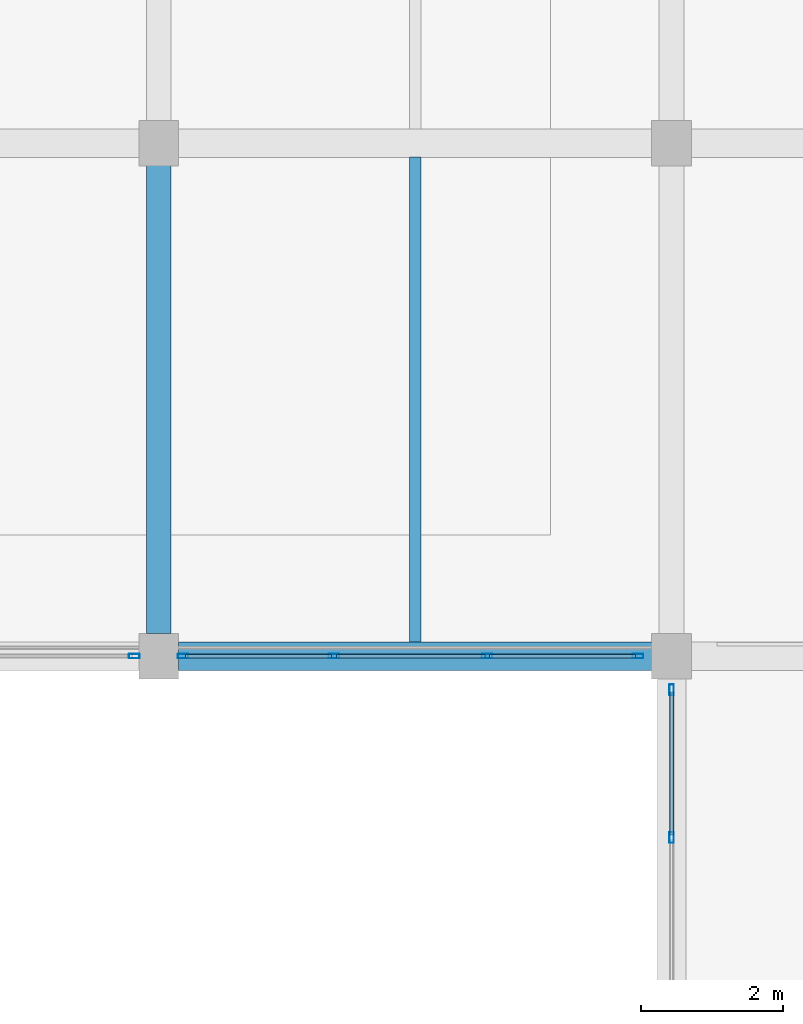
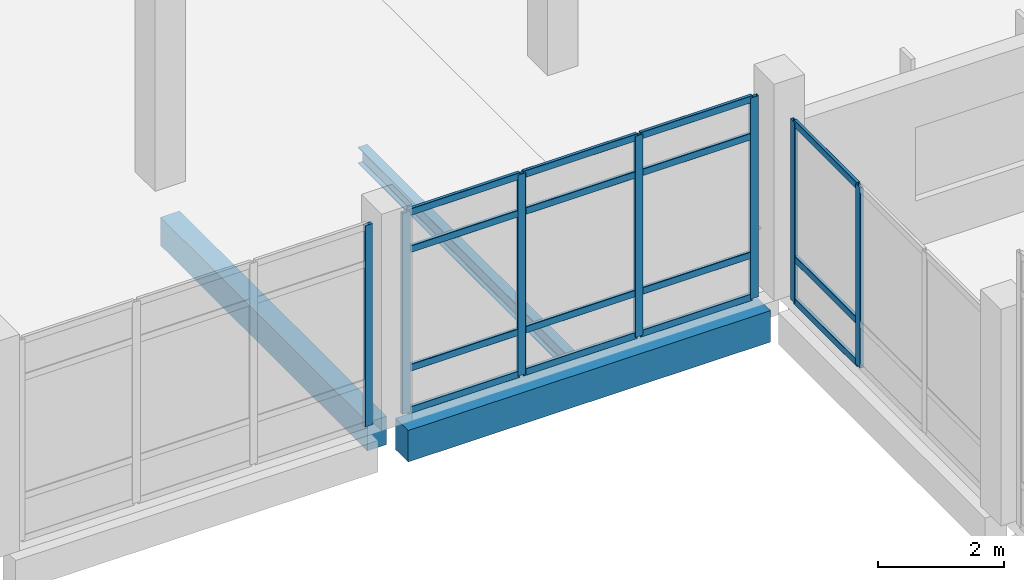
# One storey, part 100 of 158: 22 members, 3 beams, 3 elements without a shape of their own.
"""IFC4 building model written with IfcOpenShell, lengths in metres."""

from ifc_helpers import new_model, si_unit, direction, frame, origin, origin_2d, place, context, subcontext, project, spatial, rectangle, hollow_rectangle, i_section, extrude, material, material_profile, profile_set, type_object, element, aggregate, save


model = new_model("IFC4")

# Units and contexts
model_context = context("Model", 3, precision=1e-05, world=origin(), true_north=direction((0.0, 1.0)))
body_context = subcontext(model_context, "Body", "Model", "MODEL_VIEW")
ifc_project = project(units=[si_unit("LENGTHUNIT", "METRE"), si_unit("AREAUNIT", "SQUARE_METRE"), si_unit("VOLUMEUNIT", "CUBIC_METRE"), si_unit("PLANEANGLEUNIT", "RADIAN"), si_unit("MASSUNIT", "GRAM", prefix="KILO")], contexts=[model_context])

# Site, building, storey
site_placement = place(None, origin())
site = spatial("IfcSite", under=ifc_project, at=site_placement, CompositionType="ELEMENT")
building_placement = place(site_placement, origin())
building = spatial("IfcBuilding", under=site, at=building_placement, Name="Lusvemor Sports Hall", CompositionType="ELEMENT")
storey_placement = place(building_placement, frame((0.0, 0.0, 10.800048828125)))
storey = spatial("IfcBuildingStorey", under=building, at=storey_placement, Name="L02", CompositionType="ELEMENT", Elevation=10.800048828125)

# Beam
ifc_material_1 = material(Name="Concrete C40/50", Category="concrete")
ifc_material_profile_1 = material_profile(ifc_material_1, rectangle(XDim=0.35009765625, YDim=0.550048828125, at=origin_2d()), Name="RC350x550")
ifc_profile_set_1 = profile_set([ifc_material_profile_1], Name="Concrete C40/50")
beam_type_1 = type_object("IfcBeamType", Name="BEAM_RC_550", PredefinedType="BEAM", material=ifc_profile_set_1)
beam_1_placement = place(storey_placement, frame((126.0, 83.115966796875, -0.53515625), z_axis=(0.0, 1.0, 0.0), x_axis=(-1.0, 0.0, 0.0)))
element("IfcBeam", 1, at=beam_1_placement, inside=storey, type_object=beam_type_1, Name="Beam L02 14:L-M", PredefinedType="BEAM", context=body_context, shape_type="SweptSolid", body=[
    extrude(rectangle(XDim=0.35009765625, YDim=0.550048828125, at=origin_2d()), origin(), (0.0, 0.0, 1.0), 6.568115234375),
])

# Curtain wall, members
ifc_material_2 = material(Name="Thermally broken bronze-anodized aluminium", Category="aluminium")
curtain_wall_type_1 = type_object("IfcCurtainWallType", Name="CW_PASSAGE_E", PredefinedType="NOTDEFINED", material=ifc_material_2)
curtain_wall_1_placement = place(storey_placement, origin())
curtain_wall_1 = element("IfcCurtainWall", 2, at=curtain_wall_1_placement, inside=storey, type_object=curtain_wall_type_1, Name="Curtain Wall CW-NLINK-133-L02", PredefinedType="NOTDEFINED")
ifc_material_3 = material(Name="Thermally broken bronze-anodized aluminium", Category="aluminium")
ifc_material_profile_2 = material_profile(ifc_material_3, hollow_rectangle(XDim=0.06494140625, YDim=0.14990234375, WallThickness=0.00390625, InnerFilletRadius=0.00390625, OuterFilletRadius=0.008056640625, at=origin_2d()), Name="CWMUL150x65x4")
ifc_profile_set_2 = profile_set([ifc_material_profile_2], Name="Thermally broken bronze-anodized aluminium")
member_type_1 = type_object("IfcMemberType", Name="CW_MUL_B", PredefinedType="MULLION", material=ifc_profile_set_2)
member_1_placement = place(storey_placement, frame((133.199951171875, 80.25341796875, 0.0), z_axis=(0.0, 0.0, 1.0), x_axis=(-1.0, 0.0, 0.0)))
member_1 = element("IfcMember", 3, at=member_1_placement, type_object=member_type_1, Name="CW05 mullion 3", PredefinedType="MULLION", context=body_context, shape_type="SweptSolid", body=[
    extrude(hollow_rectangle(XDim=0.06494140625, YDim=0.14990234375, WallThickness=0.00390625, InnerFilletRadius=0.00390625, OuterFilletRadius=0.008056640625, at=origin_2d()), origin(), (0.0, 0.0, 1.0), 3.5),
])
member_2_placement = place(storey_placement, frame((133.199951171875, 82.327392578125, 0.0), z_axis=(0.0, 0.0, 1.0), x_axis=(-1.0, 0.0, 0.0)))
member_2 = element("IfcMember", 4, at=member_2_placement, type_object=member_type_1, Name="CW05 mullion 4", PredefinedType="MULLION", context=body_context, shape_type="SweptSolid", body=[
    extrude(hollow_rectangle(XDim=0.06494140625, YDim=0.14990234375, WallThickness=0.00390625, InnerFilletRadius=0.00390625, OuterFilletRadius=0.008056640625, at=origin_2d()), origin(), (0.0, 0.0, 1.0), 3.5),
])

ifc_material_4 = material(Name="Thermally broken bronze-anodized aluminium", Category="aluminium")
curtain_wall_type_2 = type_object("IfcCurtainWallType", Name="CW_WING_B", PredefinedType="NOTDEFINED", material=ifc_material_4)
curtain_wall_2_placement = place(storey_placement, origin())
curtain_wall_2 = element("IfcCurtainWall", 5, at=curtain_wall_2_placement, inside=storey, type_object=curtain_wall_type_2, Name="Curtain Wall CW-V5NE-S-L02-A", PredefinedType="NOTDEFINED")
member_3_placement = place(storey_placement, frame((132.7275390625, 82.800048828125, -0.050048828125), z_axis=(0.0, 0.0, 1.0), x_axis=(0.0, -1.0, 0.0)))
member_3 = element("IfcMember", 6, at=member_3_placement, type_object=member_type_1, Name="CW02 mullion 1", PredefinedType="MULLION", context=body_context, shape_type="SweptSolid", body=[
    extrude(hollow_rectangle(XDim=0.06494140625, YDim=0.14990234375, WallThickness=0.00390625, InnerFilletRadius=0.00390625, OuterFilletRadius=0.008056640625, at=origin_2d()), origin(), (0.0, 0.0, 1.0), 3.89990234375),
])
member_4_placement = place(storey_placement, frame((130.610107421875, 82.800048828125, -0.050048828125), z_axis=(0.0, 0.0, 1.0), x_axis=(0.0, -1.0, 0.0)))
member_4 = element("IfcMember", 7, at=member_4_placement, type_object=member_type_1, Name="CW02 mullion 2", PredefinedType="MULLION", context=body_context, shape_type="SweptSolid", body=[
    extrude(hollow_rectangle(XDim=0.06494140625, YDim=0.14990234375, WallThickness=0.00390625, InnerFilletRadius=0.00390625, OuterFilletRadius=0.008056640625, at=origin_2d()), origin(), (0.0, 0.0, 1.0), 3.89990234375),
])
member_5_placement = place(storey_placement, frame((128.4599609375, 82.800048828125, -0.050048828125), z_axis=(0.0, 0.0, 1.0), x_axis=(0.0, -1.0, 0.0)))
member_5 = element("IfcMember", 8, at=member_5_placement, type_object=member_type_1, Name="CW02 mullion 3", PredefinedType="MULLION", context=body_context, shape_type="SweptSolid", body=[
    extrude(hollow_rectangle(XDim=0.06494140625, YDim=0.14990234375, WallThickness=0.00390625, InnerFilletRadius=0.00390625, OuterFilletRadius=0.008056640625, at=origin_2d()), origin(), (0.0, 0.0, 1.0), 3.89990234375),
])
member_6_placement = place(storey_placement, frame((126.342529296875, 82.800048828125, -0.050048828125), z_axis=(0.0, 0.0, 1.0), x_axis=(0.0, -1.0, 0.0)))
member_6 = element("IfcMember", 9, at=member_6_placement, type_object=member_type_1, Name="CW02 mullion 4", PredefinedType="MULLION", context=body_context, shape_type="SweptSolid", body=[
    extrude(hollow_rectangle(XDim=0.06494140625, YDim=0.14990234375, WallThickness=0.00390625, InnerFilletRadius=0.00390625, OuterFilletRadius=0.008056640625, at=origin_2d()), origin(), (0.0, 0.0, 1.0), 3.89990234375),
])

# Curtain wall, member
curtain_wall_3_placement = place(storey_placement, origin())
curtain_wall_3 = element("IfcCurtainWall", 10, at=curtain_wall_3_placement, inside=storey, type_object=curtain_wall_type_2, Name="Curtain Wall CW-V5NE-S-L02-B", PredefinedType="NOTDEFINED")
member_7_placement = place(storey_placement, frame((125.657470703125, 82.800048828125, -0.050048828125), z_axis=(0.0, 0.0, 1.0), x_axis=(0.0, -1.0, 0.0)))
member_7 = element("IfcMember", 11, at=member_7_placement, type_object=member_type_1, Name="CW02 mullion 1", PredefinedType="MULLION", context=body_context, shape_type="SweptSolid", body=[
    extrude(hollow_rectangle(XDim=0.06494140625, YDim=0.14990234375, WallThickness=0.00390625, InnerFilletRadius=0.00390625, OuterFilletRadius=0.008056640625, at=origin_2d()), origin(), (0.0, 0.0, 1.0), 3.89990234375),
])
aggregate(curtain_wall_3, [member_7])

# Member
ifc_material_5 = material(Name="Thermally broken bronze-anodized aluminium", Category="aluminium")
ifc_material_profile_3 = material_profile(ifc_material_5, hollow_rectangle(XDim=0.06005859375, YDim=0.135009765625, WallThickness=0.00390625, InnerFilletRadius=0.00390625, OuterFilletRadius=0.008056640625, at=origin_2d()), Name="CWTRN135x60x4")
ifc_profile_set_3 = profile_set([ifc_material_profile_3], Name="Thermally broken bronze-anodized aluminium")
member_type_2 = type_object("IfcMemberType", Name="CW_TRN_B", PredefinedType="USERDEFINED", material=ifc_profile_set_3)
member_8_placement = place(storey_placement, frame((133.199951171875, 80.285888671875, 0.030029296875), z_axis=(0.0, 1.0, 0.0), x_axis=(-1.0, 0.0, 0.0)))
member_8 = element("IfcMember", 12, at=member_8_placement, type_object=member_type_2, Name="CW05 transom 3.1", ObjectType="TRANSOM", PredefinedType="USERDEFINED", context=body_context, shape_type="SweptSolid", body=[
    extrude(hollow_rectangle(XDim=0.06005859375, YDim=0.135009765625, WallThickness=0.00390625, InnerFilletRadius=0.00390625, OuterFilletRadius=0.008056640625, at=origin_2d()), origin(), (0.0, 0.0, 1.0), 2.009033203125),
])

member_9_placement = place(storey_placement, frame((133.199951171875, 80.285888671875, 0.849853515625), z_axis=(0.0, 1.0, 0.0), x_axis=(-1.0, 0.0, 0.0)))
member_9 = element("IfcMember", 13, at=member_9_placement, type_object=member_type_2, Name="CW05 transom 3.2", ObjectType="TRANSOM", PredefinedType="USERDEFINED", context=body_context, shape_type="SweptSolid", body=[
    extrude(hollow_rectangle(XDim=0.06005859375, YDim=0.135009765625, WallThickness=0.00390625, InnerFilletRadius=0.00390625, OuterFilletRadius=0.008056640625, at=origin_2d()), origin(), (0.0, 0.0, 1.0), 2.009033203125),
])

member_10_placement = place(storey_placement, frame((133.199951171875, 80.285888671875, 3.469970703125), z_axis=(0.0, 1.0, 0.0), x_axis=(-1.0, 0.0, 0.0)))
member_10 = element("IfcMember", 14, at=member_10_placement, type_object=member_type_2, Name="CW05 transom 3.3", ObjectType="TRANSOM", PredefinedType="USERDEFINED", context=body_context, shape_type="SweptSolid", body=[
    extrude(hollow_rectangle(XDim=0.06005859375, YDim=0.135009765625, WallThickness=0.00390625, InnerFilletRadius=0.00390625, OuterFilletRadius=0.008056640625, at=origin_2d()), origin(), (0.0, 0.0, 1.0), 2.009033203125),
])

aggregate(curtain_wall_1, [member_1, member_2, member_8, member_9, member_10])

member_11_placement = place(storey_placement, frame((132.695068359375, 82.800048828125, -0.02001953125), z_axis=(-1.0, 0.0, 0.0), x_axis=(0.0, -1.0, 0.0)))
member_11 = element("IfcMember", 15, at=member_11_placement, type_object=member_type_2, Name="CW02 transom 1.1", ObjectType="TRANSOM", PredefinedType="USERDEFINED", context=body_context, shape_type="SweptSolid", body=[
    extrude(hollow_rectangle(XDim=0.06005859375, YDim=0.135009765625, WallThickness=0.00390625, InnerFilletRadius=0.00390625, OuterFilletRadius=0.008056640625, at=origin_2d()), origin(), (0.0, 0.0, 1.0), 2.052490234375),
])

member_12_placement = place(storey_placement, frame((132.695068359375, 82.800048828125, 0.800048828125), z_axis=(-1.0, 0.0, 0.0), x_axis=(0.0, -1.0, 0.0)))
member_12 = element("IfcMember", 16, at=member_12_placement, type_object=member_type_2, Name="CW02 transom 1.2", ObjectType="TRANSOM", PredefinedType="USERDEFINED", context=body_context, shape_type="SweptSolid", body=[
    extrude(hollow_rectangle(XDim=0.06005859375, YDim=0.135009765625, WallThickness=0.00390625, InnerFilletRadius=0.00390625, OuterFilletRadius=0.008056640625, at=origin_2d()), origin(), (0.0, 0.0, 1.0), 2.052490234375),
])

member_13_placement = place(storey_placement, frame((132.695068359375, 82.800048828125, 3.099853515625), z_axis=(-1.0, 0.0, 0.0), x_axis=(0.0, -1.0, 0.0)))
member_13 = element("IfcMember", 17, at=member_13_placement, type_object=member_type_2, Name="CW02 transom 1.3", ObjectType="TRANSOM", PredefinedType="USERDEFINED", context=body_context, shape_type="SweptSolid", body=[
    extrude(hollow_rectangle(XDim=0.06005859375, YDim=0.135009765625, WallThickness=0.00390625, InnerFilletRadius=0.00390625, OuterFilletRadius=0.008056640625, at=origin_2d()), origin(), (0.0, 0.0, 1.0), 2.052490234375),
])

member_14_placement = place(storey_placement, frame((132.695068359375, 82.800048828125, 3.820068359375), z_axis=(-1.0, 0.0, 0.0), x_axis=(0.0, -1.0, 0.0)))
member_14 = element("IfcMember", 18, at=member_14_placement, type_object=member_type_2, Name="CW02 transom 1.4", ObjectType="TRANSOM", PredefinedType="USERDEFINED", context=body_context, shape_type="SweptSolid", body=[
    extrude(hollow_rectangle(XDim=0.06005859375, YDim=0.135009765625, WallThickness=0.00390625, InnerFilletRadius=0.00390625, OuterFilletRadius=0.008056640625, at=origin_2d()), origin(), (0.0, 0.0, 1.0), 2.052490234375),
])

member_15_placement = place(storey_placement, frame((130.577392578125, 82.800048828125, -0.02001953125), z_axis=(-1.0, 0.0, 0.0), x_axis=(0.0, -1.0, 0.0)))
member_15 = element("IfcMember", 19, at=member_15_placement, type_object=member_type_2, Name="CW02 transom 2.1", ObjectType="TRANSOM", PredefinedType="USERDEFINED", context=body_context, shape_type="SweptSolid", body=[
    extrude(hollow_rectangle(XDim=0.06005859375, YDim=0.135009765625, WallThickness=0.00390625, InnerFilletRadius=0.00390625, OuterFilletRadius=0.008056640625, at=origin_2d()), origin(), (0.0, 0.0, 1.0), 2.0849609375),
])

member_16_placement = place(storey_placement, frame((130.577392578125, 82.800048828125, 0.800048828125), z_axis=(-1.0, 0.0, 0.0), x_axis=(0.0, -1.0, 0.0)))
member_16 = element("IfcMember", 20, at=member_16_placement, type_object=member_type_2, Name="CW02 transom 2.2", ObjectType="TRANSOM", PredefinedType="USERDEFINED", context=body_context, shape_type="SweptSolid", body=[
    extrude(hollow_rectangle(XDim=0.06005859375, YDim=0.135009765625, WallThickness=0.00390625, InnerFilletRadius=0.00390625, OuterFilletRadius=0.008056640625, at=origin_2d()), origin(), (0.0, 0.0, 1.0), 2.0849609375),
])

member_17_placement = place(storey_placement, frame((130.577392578125, 82.800048828125, 3.099853515625), z_axis=(-1.0, 0.0, 0.0), x_axis=(0.0, -1.0, 0.0)))
member_17 = element("IfcMember", 21, at=member_17_placement, type_object=member_type_2, Name="CW02 transom 2.3", ObjectType="TRANSOM", PredefinedType="USERDEFINED", context=body_context, shape_type="SweptSolid", body=[
    extrude(hollow_rectangle(XDim=0.06005859375, YDim=0.135009765625, WallThickness=0.00390625, InnerFilletRadius=0.00390625, OuterFilletRadius=0.008056640625, at=origin_2d()), origin(), (0.0, 0.0, 1.0), 2.0849609375),
])

member_18_placement = place(storey_placement, frame((130.577392578125, 82.800048828125, 3.820068359375), z_axis=(-1.0, 0.0, 0.0), x_axis=(0.0, -1.0, 0.0)))
member_18 = element("IfcMember", 22, at=member_18_placement, type_object=member_type_2, Name="CW02 transom 2.4", ObjectType="TRANSOM", PredefinedType="USERDEFINED", context=body_context, shape_type="SweptSolid", body=[
    extrude(hollow_rectangle(XDim=0.06005859375, YDim=0.135009765625, WallThickness=0.00390625, InnerFilletRadius=0.00390625, OuterFilletRadius=0.008056640625, at=origin_2d()), origin(), (0.0, 0.0, 1.0), 2.0849609375),
])

member_19_placement = place(storey_placement, frame((128.427490234375, 82.800048828125, -0.02001953125), z_axis=(-1.0, 0.0, 0.0), x_axis=(0.0, -1.0, 0.0)))
member_19 = element("IfcMember", 23, at=member_19_placement, type_object=member_type_2, Name="CW02 transom 3.1", ObjectType="TRANSOM", PredefinedType="USERDEFINED", context=body_context, shape_type="SweptSolid", body=[
    extrude(hollow_rectangle(XDim=0.06005859375, YDim=0.135009765625, WallThickness=0.00390625, InnerFilletRadius=0.00390625, OuterFilletRadius=0.008056640625, at=origin_2d()), origin(), (0.0, 0.0, 1.0), 2.052490234375),
])

member_20_placement = place(storey_placement, frame((128.427490234375, 82.800048828125, 0.800048828125), z_axis=(-1.0, 0.0, 0.0), x_axis=(0.0, -1.0, 0.0)))
member_20 = element("IfcMember", 24, at=member_20_placement, type_object=member_type_2, Name="CW02 transom 3.2", ObjectType="TRANSOM", PredefinedType="USERDEFINED", context=body_context, shape_type="SweptSolid", body=[
    extrude(hollow_rectangle(XDim=0.06005859375, YDim=0.135009765625, WallThickness=0.00390625, InnerFilletRadius=0.00390625, OuterFilletRadius=0.008056640625, at=origin_2d()), origin(), (0.0, 0.0, 1.0), 2.052490234375),
])

member_21_placement = place(storey_placement, frame((128.427490234375, 82.800048828125, 3.099853515625), z_axis=(-1.0, 0.0, 0.0), x_axis=(0.0, -1.0, 0.0)))
member_21 = element("IfcMember", 25, at=member_21_placement, type_object=member_type_2, Name="CW02 transom 3.3", ObjectType="TRANSOM", PredefinedType="USERDEFINED", context=body_context, shape_type="SweptSolid", body=[
    extrude(hollow_rectangle(XDim=0.06005859375, YDim=0.135009765625, WallThickness=0.00390625, InnerFilletRadius=0.00390625, OuterFilletRadius=0.008056640625, at=origin_2d()), origin(), (0.0, 0.0, 1.0), 2.052490234375),
])

member_22_placement = place(storey_placement, frame((128.427490234375, 82.800048828125, 3.820068359375), z_axis=(-1.0, 0.0, 0.0), x_axis=(0.0, -1.0, 0.0)))
member_22 = element("IfcMember", 26, at=member_22_placement, type_object=member_type_2, Name="CW02 transom 3.4", ObjectType="TRANSOM", PredefinedType="USERDEFINED", context=body_context, shape_type="SweptSolid", body=[
    extrude(hollow_rectangle(XDim=0.06005859375, YDim=0.135009765625, WallThickness=0.00390625, InnerFilletRadius=0.00390625, OuterFilletRadius=0.008056640625, at=origin_2d()), origin(), (0.0, 0.0, 1.0), 2.052490234375),
])

aggregate(curtain_wall_2, [member_3, member_4, member_5, member_6, member_11, member_12, member_13, member_14, member_15, member_16, member_17, member_18, member_19, member_20, member_21, member_22])

# Beams
ifc_material_6 = material(Name="Steel S355", Category="steel")
ifc_material_profile_4 = material_profile(ifc_material_6, i_section(OverallWidth=0.1669921875, OverallDepth=0.31689453125, WebThickness=0.007568359375, FlangeThickness=0.01318359375, FilletRadius=0.014892578125, at=origin_2d()), Name="W310x52.0")
ifc_profile_set_4 = profile_set([ifc_material_profile_4], Name="Steel S355")
beam_type_2 = type_object("IfcBeamType", Name="JOIST_ST_310M", PredefinedType="JOIST", material=ifc_profile_set_4)
beam_2_placement = place(storey_placement, frame((129.60009765625, 82.99609375, -0.422607421875), z_axis=(0.0, 1.0, 0.0), x_axis=(-1.0, 0.0, 0.0)))
element("IfcBeam", 27, at=beam_2_placement, inside=storey, type_object=beam_type_2, Name="Secondary Joist L02 14-15/L-M #1", PredefinedType="JOIST", context=body_context, shape_type="SweptSolid", body=[
    extrude(i_section(OverallWidth=0.1669921875, OverallDepth=0.31689453125, WebThickness=0.007568359375, FlangeThickness=0.01318359375, FilletRadius=0.014892578125, at=origin_2d()), origin(), (0.0, 0.0, 1.0), 6.807861328125),
])
ifc_material_7 = material(Name="Concrete C40/50", Category="concrete")
ifc_material_profile_5 = material_profile(ifc_material_7, rectangle(XDim=0.39990234375, YDim=0.610107421875, at=origin_2d()), Name="RC400x610")
ifc_profile_set_5 = profile_set([ifc_material_profile_5], Name="Concrete C40/50")
beam_type_3 = type_object("IfcBeamType", Name="SPAND_EXT_650", PredefinedType="SPANDREL", material=ifc_profile_set_5)
beam_3_placement = place(storey_placement, frame((126.27587890625, 82.800048828125, -0.56494140625), z_axis=(1.0, 0.0, 0.0), x_axis=(0.0, 1.0, 0.0)))
element("IfcBeam", 28, at=beam_3_placement, inside=storey, type_object=beam_type_3, Name="Beam L02 L:14-15", PredefinedType="SPANDREL", context=body_context, shape_type="SweptSolid", body=[
    extrude(rectangle(XDim=0.39990234375, YDim=0.610107421875, at=origin_2d()), origin(), (0.0, 0.0, 1.0), 6.648193359375),
])

save(model, "model.ifc")
